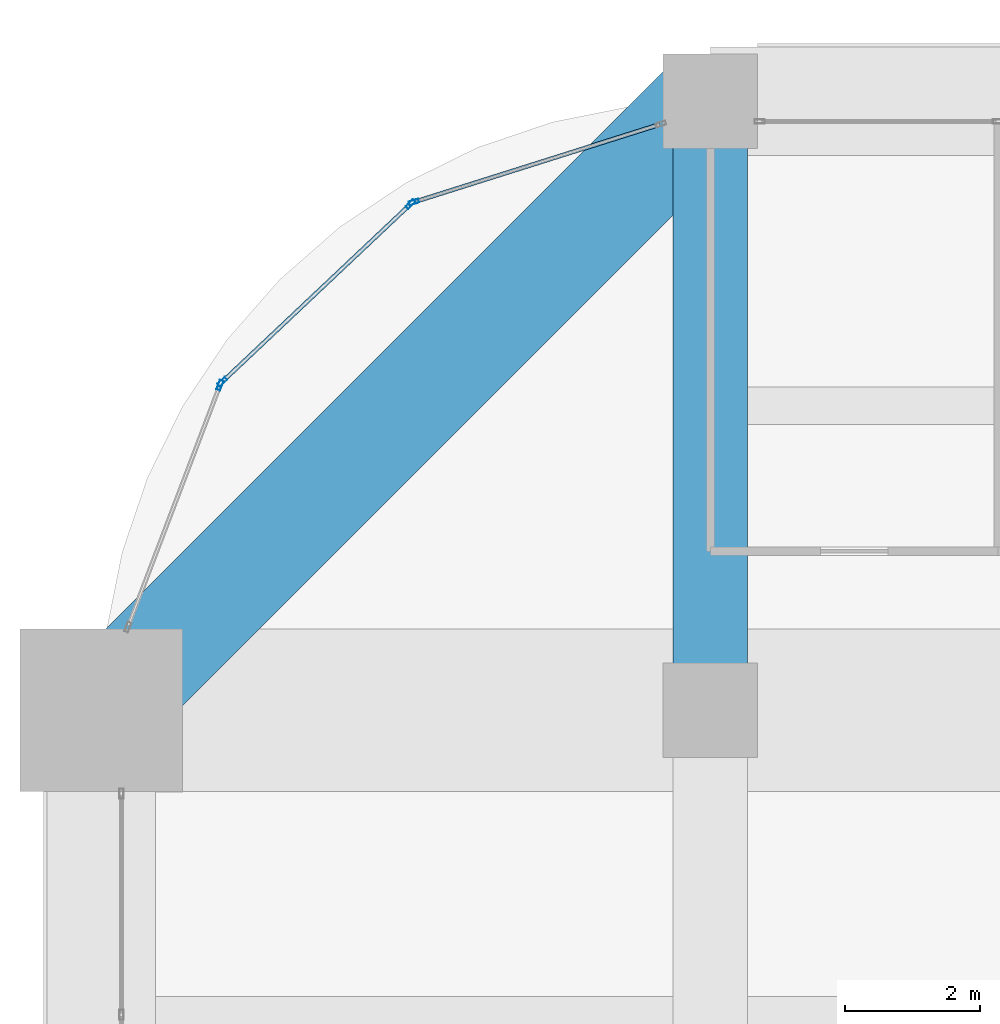
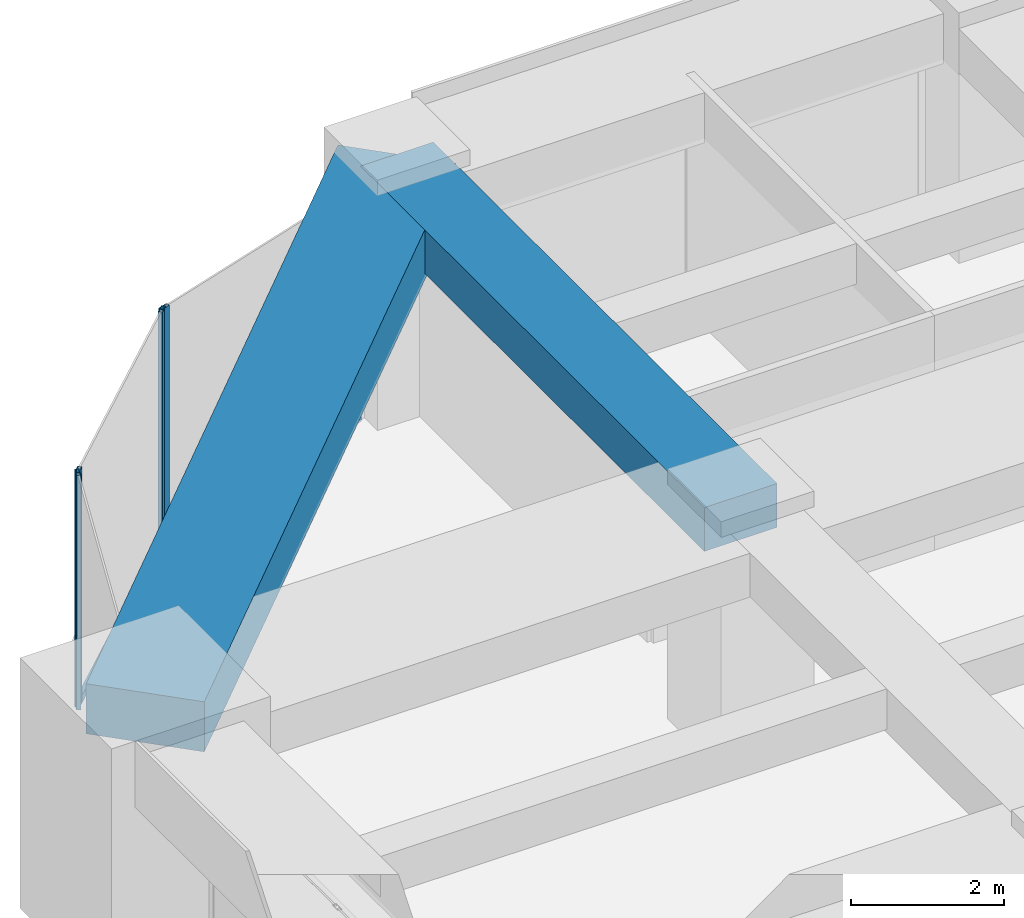
# One storey, part 21 of 34: 6 members, 2 beams, 3 elements without a shape of their own.
"""IFC4 building model written with IfcOpenShell, lengths in metres."""

from ifc_helpers import new_model, si_unit, direction, frame, origin, origin_2d, place, context, subcontext, project, spatial, rectangle, hollow_rectangle, extrude, material, material_profile, profile_set, type_object, element, aggregate, save


model = new_model("IFC4")

# Units and contexts
model_context = context("Model", 3, precision=1e-05, world=origin(), true_north=direction((0.0, 1.0)))
body_context = subcontext(model_context, "Body", "Model", "MODEL_VIEW")
ifc_project = project(units=[si_unit("LENGTHUNIT", "METRE"), si_unit("AREAUNIT", "SQUARE_METRE"), si_unit("VOLUMEUNIT", "CUBIC_METRE"), si_unit("PLANEANGLEUNIT", "RADIAN"), si_unit("MASSUNIT", "GRAM", prefix="KILO")], contexts=[model_context])

# Site, building, storey
site_placement = place(None, origin())
site = spatial("IfcSite", under=ifc_project, at=site_placement, CompositionType="ELEMENT")
building_placement = place(site_placement, origin())
building = spatial("IfcBuilding", under=site, at=building_placement, Name="Zorevar Civic Tower", CompositionType="ELEMENT")
storey_placement = place(building_placement, frame((0.0, 0.0, 226.199951171875)))
storey = spatial("IfcBuildingStorey", under=building, at=storey_placement, Name="L55", CompositionType="ELEMENT", Elevation=226.199951171875)

# Beam
ifc_material_1 = material(Name="Concrete C50/60", Category="concrete")
ifc_material_profile_1 = material_profile(ifc_material_1, rectangle(XDim=1.10009765625, YDim=0.699951171875, at=origin_2d()), Name="RC 1100x700")
ifc_profile_set_1 = profile_set([ifc_material_profile_1], Name="Concrete C50/60")
beam_type_1 = type_object("IfcBeamType", Name="Beam RC 1100x700", PredefinedType="BEAM", material=ifc_profile_set_1)
beam_1_placement = place(storey_placement, frame((9.0, 36.0, 3.400146484375), z_axis=(0.0, 1.0, 0.0), x_axis=(-1.0, 0.0, 0.0)))
element("IfcBeam", 1, at=beam_1_placement, inside=storey, type_object=beam_type_1, Name="Girder L56", PredefinedType="BEAM", context=body_context, shape_type="SweptSolid", body=[
    extrude(rectangle(XDim=1.10009765625, YDim=0.699951171875, at=origin_2d()), origin(), (0.0, 0.0, 1.0), 9.0),
])

# Curtain wall, member
ifc_material_2 = material(Name="Dark grey solar-control glass in black aluminium frame", Category="aluminium")
curtain_wall_type = type_object("IfcCurtainWallType", Name="Curtain wall CW4 high zone", PredefinedType="NOTDEFINED", material=ifc_material_2)
curtain_wall_1_placement = place(storey_placement, origin())
curtain_wall_1 = element("IfcCurtainWall", 2, at=curtain_wall_1_placement, inside=storey, type_object=curtain_wall_type, Name="CW4 L55", PredefinedType="NOTDEFINED")
ifc_material_3 = material(Name="Aluminium, black anodised", Category="aluminium")
ifc_material_profile_2 = material_profile(ifc_material_3, hollow_rectangle(XDim=0.06005859375, YDim=0.14990234375, WallThickness=0.00390625, at=origin_2d()), Name="AL 150x60x4")
ifc_profile_set_2 = profile_set([ifc_material_profile_2], Name="Aluminium, black anodised")
member_type_1 = type_object("IfcMemberType", Name="CW4 mullion AL 150x60x4", PredefinedType="MULLION", material=ifc_profile_set_2)
member_1_placement = place(storey_placement, frame((4.62158203125, 43.51025390625, 0.0), z_axis=(0.0, 0.0, 1.0), x_axis=(0.301108296077, -0.953589950678, 0.0)))
member_1 = element("IfcMember", 3, at=member_1_placement, type_object=member_type_1, Name="CW4 mullion 2", PredefinedType="MULLION", context=body_context, shape_type="SweptSolid", body=[
    extrude(hollow_rectangle(XDim=0.06005859375, YDim=0.14990234375, WallThickness=0.00390625, at=origin_2d()), origin(), (0.0, 0.0, 1.0), 3.75),
])

# Curtain wall, members
curtain_wall_2_placement = place(storey_placement, origin())
curtain_wall_2 = element("IfcCurtainWall", 4, at=curtain_wall_2_placement, inside=storey, type_object=curtain_wall_type, Name="CW4 L55", PredefinedType="NOTDEFINED")
member_2_placement = place(storey_placement, frame((4.5712890625, 43.480712890625, 0.0), z_axis=(0.0, 0.0, 1.0), x_axis=(0.686377907265, -0.727245053898, 0.0)))
member_2 = element("IfcMember", 5, at=member_2_placement, type_object=member_type_1, Name="CW4 mullion 1", PredefinedType="MULLION", context=body_context, shape_type="SweptSolid", body=[
    extrude(hollow_rectangle(XDim=0.06005859375, YDim=0.14990234375, WallThickness=0.00390625, at=origin_2d()), origin(), (0.0, 0.0, 1.0), 3.75),
])
member_3_placement = place(storey_placement, frame((1.787841796875, 40.853759765625, 0.0), z_axis=(0.0, 0.0, 1.0), x_axis=(0.686377907265, -0.727245053898, 0.0)))
member_3 = element("IfcMember", 6, at=member_3_placement, type_object=member_type_1, Name="CW4 mullion 2", PredefinedType="MULLION", context=body_context, shape_type="SweptSolid", body=[
    extrude(hollow_rectangle(XDim=0.06005859375, YDim=0.14990234375, WallThickness=0.00390625, at=origin_2d()), origin(), (0.0, 0.0, 1.0), 3.75),
])

# Curtain wall, member
curtain_wall_3_placement = place(storey_placement, origin())
curtain_wall_3 = element("IfcCurtainWall", 7, at=curtain_wall_3_placement, inside=storey, type_object=curtain_wall_type, Name="CW4 L55", PredefinedType="NOTDEFINED")
member_4_placement = place(storey_placement, frame((1.75537109375, 40.804931640625, 0.0), z_axis=(0.0, 0.0, 1.0), x_axis=(0.93458842801, -0.355730895803, 0.0)))
member_4 = element("IfcMember", 8, at=member_4_placement, type_object=member_type_1, Name="CW4 mullion 1", PredefinedType="MULLION", context=body_context, shape_type="SweptSolid", body=[
    extrude(hollow_rectangle(XDim=0.06005859375, YDim=0.14990234375, WallThickness=0.00390625, at=origin_2d()), origin(), (0.0, 0.0, 1.0), 3.75),
])
aggregate(curtain_wall_3, [member_4])

# Member
ifc_material_4 = material(Name="Aluminium, black anodised", Category="aluminium")
ifc_material_profile_3 = material_profile(ifc_material_4, hollow_rectangle(XDim=0.06005859375, YDim=0.1201171875, WallThickness=0.0029296875, at=origin_2d()), Name="AL 120x60x3")
ifc_profile_set_3 = profile_set([ifc_material_profile_3], Name="Aluminium, black anodised")
member_type_2 = type_object("IfcMemberType", Name="CW4 transom AL 120x60x3", PredefinedType="USERDEFINED", material=ifc_profile_set_3)
member_5_placement = place(storey_placement, frame((8.24267578125, 44.653564453125, 0.030029296875), z_axis=(-0.953592459367, -0.301100351109, 0.0), x_axis=(0.301100351109, -0.953592459367, 0.0)))
member_5 = element("IfcMember", 9, at=member_5_placement, type_object=member_type_2, Name="CW4 sill transom", ObjectType="TRANSOM", PredefinedType="USERDEFINED", context=body_context, shape_type="SweptSolid", body=[
    extrude(hollow_rectangle(XDim=0.06005859375, YDim=0.1201171875, WallThickness=0.0029296875, at=origin_2d()), origin(), (0.0, 0.0, 1.0), 3.76708984375),
])

aggregate(curtain_wall_1, [member_1, member_5])

member_6_placement = place(storey_placement, frame((4.549560546875, 43.4599609375, 0.030029296875), z_axis=(-0.727288059227, -0.686332338526, 0.0), x_axis=(0.686332338526, -0.727288059227, 0.0)))
member_6 = element("IfcMember", 10, at=member_6_placement, type_object=member_type_2, Name="CW4 sill transom", ObjectType="TRANSOM", PredefinedType="USERDEFINED", context=body_context, shape_type="SweptSolid", body=[
    extrude(hollow_rectangle(XDim=0.06005859375, YDim=0.1201171875, WallThickness=0.0029296875, at=origin_2d()), origin(), (0.0, 0.0, 1.0), 3.767333984375),
])

aggregate(curtain_wall_2, [member_2, member_3, member_6])

# Beam
ifc_material_5 = material(Name="Concrete C50/60", Category="concrete")
ifc_material_profile_4 = material_profile(ifc_material_5, rectangle(XDim=1.60009765625, YDim=0.800048828125, at=origin_2d()), Name="RC 1600x800")
ifc_profile_set_4 = profile_set([ifc_material_profile_4], Name="Concrete C50/60")
beam_type_2 = type_object("IfcBeamType", Name="Edge beam RC 1600x800", PredefinedType="SPANDREL", material=ifc_profile_set_4)
beam_2_placement = place(storey_placement, frame((9.0, 45.0, 3.35009765625), z_axis=(-0.707106781187, -0.707106781187, 0.0), x_axis=(0.707106781187, -0.707106781187, 0.0)))
element("IfcBeam", 11, at=beam_2_placement, inside=storey, type_object=beam_type_2, Name="Corner edge beam L56", PredefinedType="SPANDREL", context=body_context, shape_type="SweptSolid", body=[
    extrude(rectangle(XDim=1.60009765625, YDim=0.800048828125, at=origin_2d()), origin(), (0.0, 0.0, 1.0), 12.72802734375),
])

save(model, "model.ifc")
